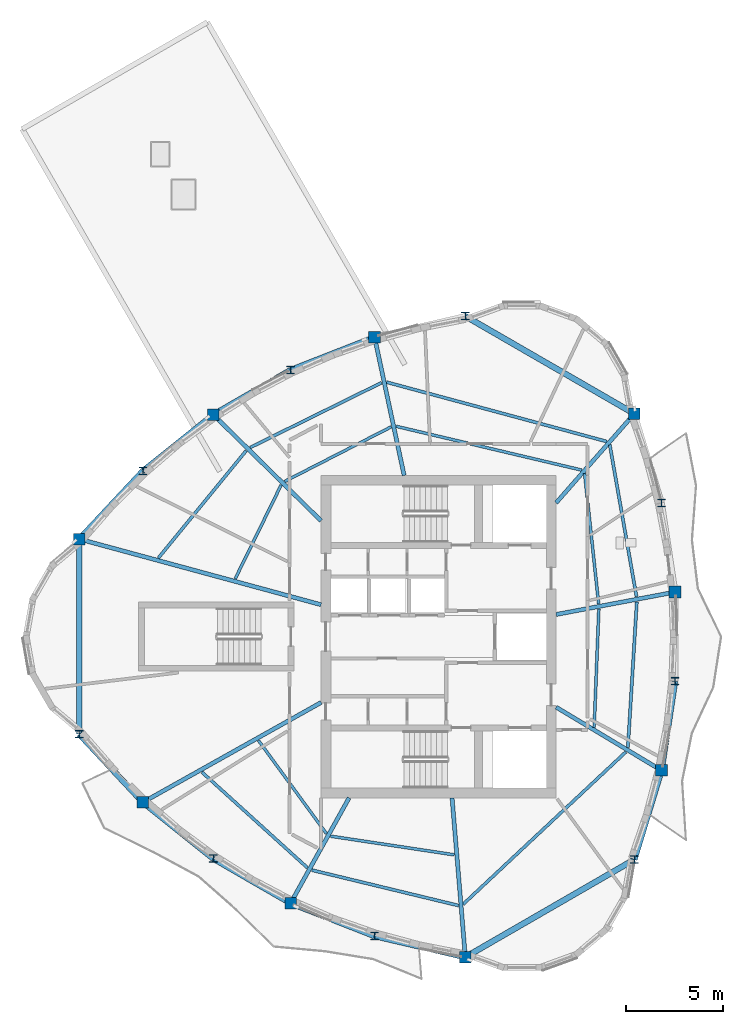
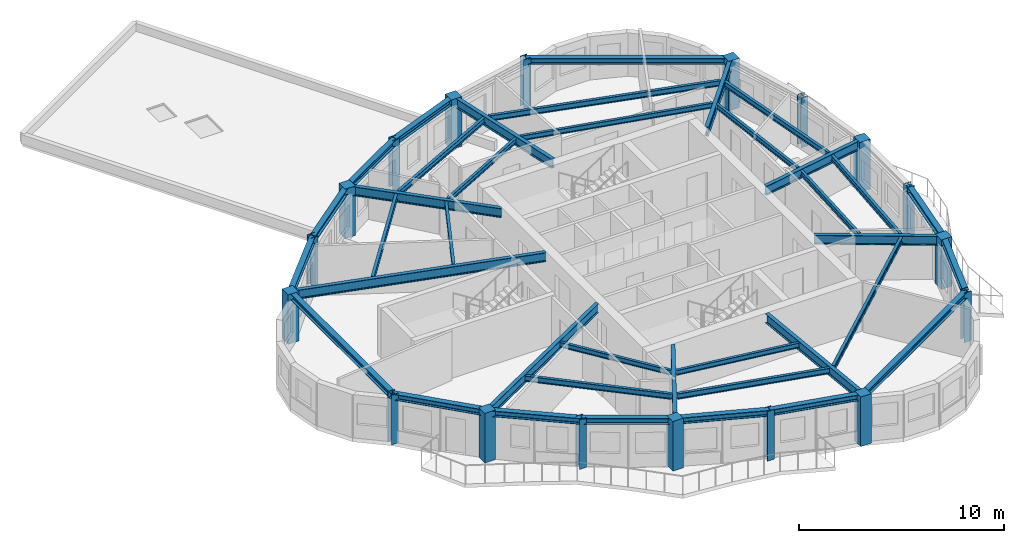
# One storey, part 1 of 11: 38 beams, 18 columns.
"""IFC4 building model written with IfcOpenShell, lengths in metres."""

from ifc_helpers import new_model, si_unit, direction, frame, origin, origin_2d, place, context, subcontext, project, spatial, rectangle, i_section, extrude, source, transform, mapped, material, material_profile, profile_set, type_object, element, save


model = new_model("IFC4")

# Units and contexts
model_context = context("Model", 3, precision=1e-05, world=origin(), true_north=direction((0.0, 1.0)))
body_context = subcontext(model_context, "Body", "Model", "MODEL_VIEW")
ifc_project = project(units=[si_unit("LENGTHUNIT", "METRE"), si_unit("AREAUNIT", "SQUARE_METRE"), si_unit("VOLUMEUNIT", "CUBIC_METRE"), si_unit("PLANEANGLEUNIT", "RADIAN"), si_unit("MASSUNIT", "GRAM", prefix="KILO")], contexts=[model_context])

# Site, building, storey
site_placement = place(None, origin())
site = spatial("IfcSite", under=ifc_project, at=site_placement, CompositionType="ELEMENT")
building_placement = place(site_placement, origin())
building = spatial("IfcBuilding", under=site, at=building_placement, Name="Qafzar Sky-Pleat Residences", CompositionType="ELEMENT")
storey_placement = place(building_placement, frame((0.0, 0.0, 214.800048828125)))
storey = spatial("IfcBuildingStorey", under=building, at=storey_placement, Name="L64", CompositionType="ELEMENT", Elevation=214.800048828125)

# Columns
ifc_material_1 = material(Name="Concrete C50/60", Category="concrete")
ifc_material_profile_1 = material_profile(ifc_material_1, rectangle(XDim=0.60009765625, YDim=0.60009765625, at=origin_2d()), Name="RC 600x600")
ifc_profile_set_1 = profile_set([ifc_material_profile_1], Name="Concrete C50/60")
column_type_1 = type_object("IfcColumnType", Name="COL-RC-600", PredefinedType="COLUMN", material=ifc_profile_set_1)
shared_shape_1 = source(origin(), body_context, "Body", "SweptSolid", [
    extrude(rectangle(XDim=0.60009765625, YDim=0.60009765625, at=origin_2d()), origin(), (0.0, 0.0, 1.0), 2.9599609375),
])
for number, where, z_axis, x_axis, name in (
    (1, (11.85009765625, 31.02294921875, 0.0), (0.0, 0.0, 1.0), (1.0, 0.0, 0.0), "L64 Perimeter Mega Column 1"),
    (2, (15.127197265625, 17.4736328125, 0.0), (0.0, 0.0, 1.0), (1.0, 0.0, 0.0), "L64 Perimeter Mega Column 3"),
    (3, (22.728515625, 12.279541015625, 0.0), (0.0, 0.0, 1.0), (1.0, 0.0, 0.0), "L64 Perimeter Mega Column 5"),
    (4, (31.72509765625, 9.502197265625, 0.0), (0.0, 0.0, 1.0), (1.0, 0.0, 0.0), "L64 Perimeter Mega Column 7"),
    (5, (41.8203125, 19.114990234375, 0.0), (0.0, 0.0, 1.0), (1.0, 0.0, 0.0), "L64 Perimeter Mega Column 9"),
    (6, (42.51806640625, 28.294921875, 0.0), (0.0, 0.0, 1.0), (1.0, 0.0, 0.0), "L64 Perimeter Mega Column 11"),
    (7, (40.425048828125, 37.474853515625, 0.0), (0.0, 0.0, 1.0), (1.0, 0.0, 0.0), "L64 Perimeter Mega Column 13"),
    (8, (27.05224609375, 41.4111328125, 0.0), (0.0, 0.0, 1.0), (1.0, 0.0, 0.0), "L64 Perimeter Mega Column 15"),
    (9, (18.75341796875, 37.425537109375, 0.0), (0.0, 0.0, 1.0), (1.0, 0.0, 0.0), "L64 Perimeter Mega Column 17"),
):
    element("IfcColumn", number, at=place(storey_placement, frame(where, z_axis=z_axis, x_axis=x_axis)), inside=storey, type_object=column_type_1, Name=name, PredefinedType="COLUMN", context=body_context, shape_type="MappedRepresentation", body=[
        mapped(shared_shape_1, transform((0.0, 0.0, 0.0), x_axis=(1.0, 0.0, 0.0), y_axis=(0.0, 1.0, 0.0), z_axis=(0.0, 0.0, 1.0), scale=1.0)),
    ])
ifc_material_2 = material(Name="Steel S355", Category="steel")
ifc_material_profile_2 = material_profile(ifc_material_2, i_section(OverallWidth=0.39794921875, OverallDepth=0.386962890625, WebThickness=0.01904296875, FlangeThickness=0.030029296875, FilletRadius=0.014892578125, at=origin_2d()), Name="HD 400x262")
ifc_profile_set_2 = profile_set([ifc_material_profile_2], Name="Steel S355")
column_type_2 = type_object("IfcColumnType", Name="COL-STL-HD262", PredefinedType="PILASTER", material=ifc_profile_set_2)
shared_shape_2 = source(origin(), body_context, "Body", "SweptSolid", [
    extrude(i_section(OverallWidth=0.39794921875, OverallDepth=0.386962890625, WebThickness=0.01904296875, FlangeThickness=0.030029296875, FilletRadius=0.014892578125, at=origin_2d()), origin(), (0.0, 0.0, 1.0), 2.9599609375),
])
for number, where, z_axis, x_axis, name in (
    (10, (11.85009765625, 20.97705078125, 0.0), (0.0, 0.0, 1.0), (1.0, 0.0, 0.0), "L64 Perimeter Mega Column 2"),
    (11, (18.75341796875, 14.574462890625, 0.0), (0.0, 0.0, 1.0), (1.0, 0.0, 0.0), "L64 Perimeter Mega Column 4"),
    (12, (27.05224609375, 10.5888671875, 0.0), (0.0, 0.0, 1.0), (1.0, 0.0, 0.0), "L64 Perimeter Mega Column 6"),
    (13, (40.425048828125, 14.525146484375, 0.0), (0.0, 0.0, 1.0), (1.0, 0.0, 0.0), "L64 Perimeter Mega Column 8"),
    (14, (42.51806640625, 23.705078125, 0.0), (0.0, 0.0, 1.0), (1.0, 0.0, 0.0), "L64 Perimeter Mega Column 10"),
    (15, (41.8203125, 32.885009765625, 0.0), (0.0, 0.0, 1.0), (1.0, 0.0, 0.0), "L64 Perimeter Mega Column 12"),
    (16, (31.72509765625, 42.497802734375, 0.0), (0.0, 0.0, 1.0), (1.0, 0.0, 0.0), "L64 Perimeter Mega Column 14"),
    (17, (22.728515625, 39.720458984375, 0.0), (0.0, 0.0, 1.0), (1.0, 0.0, 0.0), "L64 Perimeter Mega Column 16"),
    (18, (15.127197265625, 34.5263671875, 0.0), (0.0, 0.0, 1.0), (1.0, 0.0, 0.0), "L64 Perimeter Mega Column 18"),
):
    element("IfcColumn", number, at=place(storey_placement, frame(where, z_axis=z_axis, x_axis=x_axis)), inside=storey, type_object=column_type_2, Name=name, PredefinedType="PILASTER", context=body_context, shape_type="MappedRepresentation", body=[
        mapped(shared_shape_2, transform((0.0, 0.0, 0.0), x_axis=(1.0, 0.0, 0.0), y_axis=(0.0, 1.0, 0.0), z_axis=(0.0, 0.0, 1.0), scale=1.0)),
    ])

# Beams
ifc_material_profile_3 = material_profile(ifc_material_2, i_section(OverallWidth=0.300048828125, OverallDepth=0.360107421875, WebThickness=0.012451171875, FlangeThickness=0.0224609375, FilletRadius=0.027099609375, at=origin_2d()), Name="HEB 360")
ifc_profile_set_3 = profile_set([ifc_material_profile_3], Name="Steel S355")
beam_type_1 = type_object("IfcBeamType", Name="BM-SPAN-HEB360", PredefinedType="SPANDREL", material=ifc_profile_set_3)
shared_shape_3 = source(origin(), body_context, "Body", "SweptSolid", [
    extrude(i_section(OverallWidth=0.300048828125, OverallDepth=0.360107421875, WebThickness=0.012451171875, FlangeThickness=0.0224609375, FilletRadius=0.027099609375, at=origin_2d()), origin(), (0.0, 0.0, 1.0), 10.0458984375),
])
for number, where, z_axis, x_axis, name in (
    (19, (11.85009765625, 31.02294921875, 2.77783203125), (0.0, -1.0, 0.0), (1.0, 0.0, 0.0), "L64 Perimeter Spandrel Beam 1"),
    (20, (31.72509765625, 9.502197265625, 2.77783203125), (0.866024107753, 0.500002244785, 0.0), (-0.500002244785, 0.866024107753, 0.0), "L64 Perimeter Spandrel Beam 7"),
    (21, (40.425048828125, 37.474853515625, 2.77783203125), (-0.866024107753, 0.500002244785, 0.0), (-0.500002244785, -0.866024107753, 0.0), "L64 Perimeter Spandrel Beam 13"),
):
    element("IfcBeam", number, at=place(storey_placement, frame(where, z_axis=z_axis, x_axis=x_axis)), inside=storey, type_object=beam_type_1, Name=name, PredefinedType="SPANDREL", context=body_context, shape_type="MappedRepresentation", body=[
        mapped(shared_shape_3, transform((0.0, 0.0, 0.0), x_axis=(1.0, 0.0, 0.0), y_axis=(0.0, 1.0, 0.0), z_axis=(0.0, 0.0, 1.0), scale=1.0)),
    ])
shared_shape_4 = source(origin(), body_context, "Body", "SweptSolid", [
    extrude(i_section(OverallWidth=0.300048828125, OverallDepth=0.360107421875, WebThickness=0.012451171875, FlangeThickness=0.0224609375, FilletRadius=0.027099609375, at=origin_2d()), origin(), (0.0, 0.0, 1.0), 4.797119140625),
])
for number, where, z_axis, x_axis, name in (
    (22, (11.85009765625, 20.97705078125, 2.77783203125), (0.683124734516, -0.730301716479, 0.0), (0.730301716479, 0.683124734516, 0.0), "L64 Perimeter Spandrel Beam 2"),
    (23, (40.425048828125, 14.525146484375, 2.77783203125), (0.290847707489, 0.95676936147, 0.0), (-0.95676936147, 0.290847707489, 0.0), "L64 Perimeter Spandrel Beam 8"),
    (24, (15.127197265625, 34.5263671875, 2.77783203125), (-0.683124734516, -0.730301716479, 0.0), (0.730301716479, -0.683124734516, 0.0), "L64 Perimeter Spandrel Beam 18"),
):
    element("IfcBeam", number, at=place(storey_placement, frame(where, z_axis=z_axis, x_axis=x_axis)), inside=storey, type_object=beam_type_1, Name=name, PredefinedType="SPANDREL", context=body_context, shape_type="MappedRepresentation", body=[
        mapped(shared_shape_4, transform((0.0, 0.0, 0.0), x_axis=(1.0, 0.0, 0.0), y_axis=(0.0, 1.0, 0.0), z_axis=(0.0, 0.0, 1.0), scale=1.0)),
    ])
shared_shape_5 = source(origin(), body_context, "Body", "SweptSolid", [
    extrude(i_section(OverallWidth=0.300048828125, OverallDepth=0.360107421875, WebThickness=0.012451171875, FlangeThickness=0.0224609375, FilletRadius=0.027099609375, at=origin_2d()), origin(), (0.0, 0.0, 1.0), 4.642578125),
])
for number, where, z_axis, x_axis, name in (
    (25, (15.127197265625, 17.4736328125, 2.77783203125), (0.78105859572, -0.624457740805, 0.0), (0.624457740805, 0.78105859572, 0.0), "L64 Perimeter Spandrel Beam 3"),
    (26, (22.728515625, 12.279541015625, 2.77783203125), (0.931331978825, -0.364171313008, 0.0), (0.364171313008, 0.931331978825, 0.0), "L64 Perimeter Spandrel Beam 5"),
    (27, (27.05224609375, 41.4111328125, 2.77783203125), (-0.931331978825, -0.364171313008, 0.0), (0.364171313008, -0.931331978825, 0.0), "L64 Perimeter Spandrel Beam 15"),
    (28, (18.75341796875, 37.425537109375, 2.77783203125), (-0.78105859572, -0.624457740805, 0.0), (0.624457740805, -0.78105859572, 0.0), "L64 Perimeter Spandrel Beam 17"),
):
    element("IfcBeam", number, at=place(storey_placement, frame(where, z_axis=z_axis, x_axis=x_axis)), inside=storey, type_object=beam_type_1, Name=name, PredefinedType="SPANDREL", context=body_context, shape_type="MappedRepresentation", body=[
        mapped(shared_shape_5, transform((0.0, 0.0, 0.0), x_axis=(1.0, 0.0, 0.0), y_axis=(0.0, 1.0, 0.0), z_axis=(0.0, 0.0, 1.0), scale=1.0)),
    ])
shared_shape_6 = source(origin(), body_context, "Body", "SweptSolid", [
    extrude(i_section(OverallWidth=0.300048828125, OverallDepth=0.360107421875, WebThickness=0.012451171875, FlangeThickness=0.0224609375, FilletRadius=0.027099609375, at=origin_2d()), origin(), (0.0, 0.0, 1.0), 4.590087890625),
])
for number, where, z_axis, x_axis, name in (
    (29, (18.75341796875, 14.574462890625, 2.77783203125), (0.866035009806, -0.499983361514, 0.0), (0.499983361514, 0.866035009806, 0.0), "L64 Perimeter Spandrel Beam 4"),
    (30, (22.728515625, 39.720458984375, 2.77783203125), (-0.866035009806, -0.499983361514, 0.0), (0.499983361514, -0.866035009806, 0.0), "L64 Perimeter Spandrel Beam 16"),
):
    element("IfcBeam", number, at=place(storey_placement, frame(where, z_axis=z_axis, x_axis=x_axis)), inside=storey, type_object=beam_type_1, Name=name, PredefinedType="SPANDREL", context=body_context, shape_type="MappedRepresentation", body=[
        mapped(shared_shape_6, transform((0.0, 0.0, 0.0), x_axis=(1.0, 0.0, 0.0), y_axis=(0.0, 1.0, 0.0), z_axis=(0.0, 0.0, 1.0), scale=1.0)),
    ])
shared_shape_7 = source(origin(), body_context, "Body", "SweptSolid", [
    extrude(i_section(OverallWidth=0.300048828125, OverallDepth=0.360107421875, WebThickness=0.012451171875, FlangeThickness=0.0224609375, FilletRadius=0.027099609375, at=origin_2d()), origin(), (0.0, 0.0, 1.0), 4.797607421875),
])
beam_1_placement = place(storey_placement, frame((27.05224609375, 10.5888671875, 2.77783203125), z_axis=(0.974009854719, -0.226505635494, 0.0), x_axis=(0.226505635494, 0.974009854719, 0.0)))
element("IfcBeam", 31, at=beam_1_placement, inside=storey, type_object=beam_type_1, Name="L64 Perimeter Spandrel Beam 6", PredefinedType="SPANDREL", context=body_context, shape_type="MappedRepresentation", body=[
    mapped(shared_shape_7, transform((0.0, 0.0, 0.0), x_axis=(1.0, 0.0, 0.0), y_axis=(0.0, 1.0, 0.0), z_axis=(0.0, 0.0, 1.0), scale=1.0)),
])
shared_shape_8 = source(origin(), body_context, "Body", "SweptSolid", [
    extrude(i_section(OverallWidth=0.300048828125, OverallDepth=0.360107421875, WebThickness=0.012451171875, FlangeThickness=0.0224609375, FilletRadius=0.027099609375, at=origin_2d()), origin(), (0.0, 0.0, 1.0), 4.642822265625),
])
beam_2_placement = place(storey_placement, frame((41.8203125, 19.114990234375, 2.77783203125), z_axis=(0.150286694564, 0.988642457837, 0.0), x_axis=(-0.988642457837, 0.150286694564, 0.0)))
element("IfcBeam", 32, at=beam_2_placement, inside=storey, type_object=beam_type_1, Name="L64 Perimeter Spandrel Beam 9", PredefinedType="SPANDREL", context=body_context, shape_type="MappedRepresentation", body=[
    mapped(shared_shape_8, transform((0.0, 0.0, 0.0), x_axis=(1.0, 0.0, 0.0), y_axis=(0.0, 1.0, 0.0), z_axis=(0.0, 0.0, 1.0), scale=1.0)),
])
ifc_material_profile_4 = material_profile(ifc_material_2, i_section(OverallWidth=0.2099609375, OverallDepth=0.550048828125, WebThickness=0.010986328125, FlangeThickness=0.01708984375, FilletRadius=0.02392578125, at=origin_2d()), Name="IPE 550")
ifc_profile_set_4 = profile_set([ifc_material_profile_4], Name="Steel S355")
beam_type_2 = type_object("IfcBeamType", Name="BM-SEC-IPE550", PredefinedType="BEAM", material=ifc_profile_set_4)
shared_shape_9 = source(origin(), body_context, "Body", "SweptSolid", [
    extrude(i_section(OverallWidth=0.2099609375, OverallDepth=0.550048828125, WebThickness=0.010986328125, FlangeThickness=0.01708984375, FilletRadius=0.02392578125, at=origin_2d()), origin(), (0.0, 0.0, 1.0), 12.900634765625),
])
beam_3_placement = place(storey_placement, frame((11.85009765625, 31.02294921875, 2.682861328125), z_axis=(0.965059742401, -0.262029947902, 0.0), x_axis=(0.262029947902, 0.965059742401, 0.0)))
element("IfcBeam", 33, at=beam_3_placement, inside=storey, type_object=beam_type_2, Name="L64 Radial Floor Girder 1", PredefinedType="BEAM", context=body_context, shape_type="MappedRepresentation", body=[
    mapped(shared_shape_9, transform((0.0, 0.0, 0.0), x_axis=(1.0, 0.0, 0.0), y_axis=(0.0, 1.0, 0.0), z_axis=(0.0, 0.0, 1.0), scale=1.0)),
])
shared_shape_10 = source(origin(), body_context, "Body", "SweptSolid", [
    extrude(i_section(OverallWidth=0.2099609375, OverallDepth=0.550048828125, WebThickness=0.010986328125, FlangeThickness=0.01708984375, FilletRadius=0.02392578125, at=origin_2d()), origin(), (0.0, 0.0, 1.0), 10.513671875),
])
beam_4_placement = place(storey_placement, frame((15.127197265625, 17.4736328125, 2.682861328125), z_axis=(0.872469583565, 0.488668421073, 0.0), x_axis=(-0.488668421073, 0.872469583565, 0.0)))
element("IfcBeam", 34, at=beam_4_placement, inside=storey, type_object=beam_type_2, Name="L64 Radial Floor Girder 3", PredefinedType="BEAM", context=body_context, shape_type="MappedRepresentation", body=[
    mapped(shared_shape_10, transform((0.0, 0.0, 0.0), x_axis=(1.0, 0.0, 0.0), y_axis=(0.0, 1.0, 0.0), z_axis=(0.0, 0.0, 1.0), scale=1.0)),
])
shared_shape_11 = source(origin(), body_context, "Body", "SweptSolid", [
    extrude(i_section(OverallWidth=0.2099609375, OverallDepth=0.550048828125, WebThickness=0.010986328125, FlangeThickness=0.01708984375, FilletRadius=0.02392578125, at=origin_2d()), origin(), (0.0, 0.0, 1.0), 6.200439453125),
])
beam_5_placement = place(storey_placement, frame((22.728515625, 12.279541015625, 2.682861328125), z_axis=(0.485599470604, 0.874181419472, 0.0), x_axis=(-0.874181419472, 0.485599470604, 0.0)))
element("IfcBeam", 35, at=beam_5_placement, inside=storey, type_object=beam_type_2, Name="L64 Radial Floor Girder 5", PredefinedType="BEAM", context=body_context, shape_type="MappedRepresentation", body=[
    mapped(shared_shape_11, transform((0.0, 0.0, 0.0), x_axis=(1.0, 0.0, 0.0), y_axis=(0.0, 1.0, 0.0), z_axis=(0.0, 0.0, 1.0), scale=1.0)),
])
shared_shape_12 = source(origin(), body_context, "Body", "SweptSolid", [
    extrude(i_section(OverallWidth=0.2099609375, OverallDepth=0.550048828125, WebThickness=0.010986328125, FlangeThickness=0.01708984375, FilletRadius=0.02392578125, at=origin_2d()), origin(), (0.0, 0.0, 1.0), 8.22607421875),
])
beam_6_placement = place(storey_placement, frame((31.72509765625, 9.502197265625, 2.682861328125), z_axis=(-0.083070041322, 0.996543711151, 0.0), x_axis=(-0.996543711151, -0.083070041322, 0.0)))
element("IfcBeam", 36, at=beam_6_placement, inside=storey, type_object=beam_type_2, Name="L64 Radial Floor Girder 7", PredefinedType="BEAM", context=body_context, shape_type="MappedRepresentation", body=[
    mapped(shared_shape_12, transform((0.0, 0.0, 0.0), x_axis=(1.0, 0.0, 0.0), y_axis=(0.0, 1.0, 0.0), z_axis=(0.0, 0.0, 1.0), scale=1.0)),
])
shared_shape_13 = source(origin(), body_context, "Body", "SweptSolid", [
    extrude(i_section(OverallWidth=0.2099609375, OverallDepth=0.550048828125, WebThickness=0.010986328125, FlangeThickness=0.01708984375, FilletRadius=0.02392578125, at=origin_2d()), origin(), (0.0, 0.0, 1.0), 6.322021484375),
])
beam_7_placement = place(storey_placement, frame((41.8203125, 19.114990234375, 2.682861328125), z_axis=(-0.857394093566, 0.514660439823, 0.0), x_axis=(-0.514660439823, -0.857394093566, 0.0)))
element("IfcBeam", 37, at=beam_7_placement, inside=storey, type_object=beam_type_2, Name="L64 Radial Floor Girder 9", PredefinedType="BEAM", context=body_context, shape_type="MappedRepresentation", body=[
    mapped(shared_shape_13, transform((0.0, 0.0, 0.0), x_axis=(1.0, 0.0, 0.0), y_axis=(0.0, 1.0, 0.0), z_axis=(0.0, 0.0, 1.0), scale=1.0)),
])
shared_shape_14 = source(origin(), body_context, "Body", "SweptSolid", [
    extrude(i_section(OverallWidth=0.2099609375, OverallDepth=0.550048828125, WebThickness=0.010986328125, FlangeThickness=0.01708984375, FilletRadius=0.02392578125, at=origin_2d()), origin(), (0.0, 0.0, 1.0), 6.22607421875),
])
beam_8_placement = place(storey_placement, frame((42.51806640625, 28.294921875, 2.682861328125), z_axis=(-0.982678095354, -0.185320697472, 0.0), x_axis=(0.185320697472, -0.982678095354, 0.0)))
element("IfcBeam", 38, at=beam_8_placement, inside=storey, type_object=beam_type_2, Name="L64 Radial Floor Girder 11", PredefinedType="BEAM", context=body_context, shape_type="MappedRepresentation", body=[
    mapped(shared_shape_14, transform((0.0, 0.0, 0.0), x_axis=(1.0, 0.0, 0.0), y_axis=(0.0, 1.0, 0.0), z_axis=(0.0, 0.0, 1.0), scale=1.0)),
])
shared_shape_15 = source(origin(), body_context, "Body", "SweptSolid", [
    extrude(i_section(OverallWidth=0.2099609375, OverallDepth=0.550048828125, WebThickness=0.010986328125, FlangeThickness=0.01708984375, FilletRadius=0.02392578125, at=origin_2d()), origin(), (0.0, 0.0, 1.0), 6.1005859375),
])
beam_9_placement = place(storey_placement, frame((40.425048828125, 37.474853515625, 2.682861328125), z_axis=(-0.65979841743, -0.751442644755, 0.0), x_axis=(0.751442644755, -0.65979841743, 0.0)))
element("IfcBeam", 39, at=beam_9_placement, inside=storey, type_object=beam_type_2, Name="L64 Radial Floor Girder 13", PredefinedType="BEAM", context=body_context, shape_type="MappedRepresentation", body=[
    mapped(shared_shape_15, transform((0.0, 0.0, 0.0), x_axis=(1.0, 0.0, 0.0), y_axis=(0.0, 1.0, 0.0), z_axis=(0.0, 0.0, 1.0), scale=1.0)),
])
shared_shape_16 = source(origin(), body_context, "Body", "SweptSolid", [
    extrude(i_section(OverallWidth=0.2099609375, OverallDepth=0.550048828125, WebThickness=0.010986328125, FlangeThickness=0.01708984375, FilletRadius=0.02392578125, at=origin_2d()), origin(), (0.0, 0.0, 1.0), 7.27197265625),
])
beam_10_placement = place(storey_placement, frame((27.05224609375, 41.4111328125, 2.682861328125), z_axis=(0.209256244096, -0.977860840972, 0.0), x_axis=(0.977860840972, 0.209256244096, 0.0)))
element("IfcBeam", 40, at=beam_10_placement, inside=storey, type_object=beam_type_2, Name="L64 Radial Floor Girder 15", PredefinedType="BEAM", context=body_context, shape_type="MappedRepresentation", body=[
    mapped(shared_shape_16, transform((0.0, 0.0, 0.0), x_axis=(1.0, 0.0, 0.0), y_axis=(0.0, 1.0, 0.0), z_axis=(0.0, 0.0, 1.0), scale=1.0)),
])
shared_shape_17 = source(origin(), body_context, "Body", "SweptSolid", [
    extrude(i_section(OverallWidth=0.2099609375, OverallDepth=0.550048828125, WebThickness=0.010986328125, FlangeThickness=0.01708984375, FilletRadius=0.02392578125, at=origin_2d()), origin(), (0.0, 0.0, 1.0), 7.78662109375),
])
beam_11_placement = place(storey_placement, frame((18.75341796875, 37.425537109375, 2.682861328125), z_axis=(0.712339128593, -0.70183542649, 0.0), x_axis=(0.70183542649, 0.712339128593, 0.0)))
element("IfcBeam", 41, at=beam_11_placement, inside=storey, type_object=beam_type_2, Name="L64 Radial Floor Girder 17", PredefinedType="BEAM", context=body_context, shape_type="MappedRepresentation", body=[
    mapped(shared_shape_17, transform((0.0, 0.0, 0.0), x_axis=(1.0, 0.0, 0.0), y_axis=(0.0, 1.0, 0.0), z_axis=(0.0, 0.0, 1.0), scale=1.0)),
])
ifc_material_profile_5 = material_profile(ifc_material_2, i_section(OverallWidth=0.159912109375, OverallDepth=0.330078125, WebThickness=0.007568359375, FlangeThickness=0.011474609375, FilletRadius=0.01806640625, at=origin_2d()), Name="IPE 330")
ifc_profile_set_5 = profile_set([ifc_material_profile_5], Name="Steel S355")
beam_type_3 = type_object("IfcBeamType", Name="BM-JST-IPE330", PredefinedType="JOIST", material=ifc_profile_set_5)
shared_shape_18 = source(origin(), body_context, "Body", "SweptSolid", [
    extrude(i_section(OverallWidth=0.159912109375, OverallDepth=0.330078125, WebThickness=0.007568359375, FlangeThickness=0.011474609375, FilletRadius=0.01806640625, at=origin_2d()), origin(), (0.0, 0.0, 1.0), 7.32861328125),
])
beam_12_placement = place(storey_placement, frame((18.16259765625, 19.027099609375, 2.79296875), z_axis=(0.740855880946, -0.671664025884, 0.0), x_axis=(0.671664025884, 0.740855880946, 0.0)))
element("IfcBeam", 42, at=beam_12_placement, inside=storey, type_object=beam_type_3, Name="L64 Outer Secondary Floor Joist 2", PredefinedType="JOIST", context=body_context, shape_type="MappedRepresentation", body=[
    mapped(shared_shape_18, transform((0.0, 0.0, 0.0), x_axis=(1.0, 0.0, 0.0), y_axis=(0.0, 1.0, 0.0), z_axis=(0.0, 0.0, 1.0), scale=1.0)),
])
shared_shape_19 = source(origin(), body_context, "Body", "SweptSolid", [
    extrude(i_section(OverallWidth=0.159912109375, OverallDepth=0.330078125, WebThickness=0.007568359375, FlangeThickness=0.011474609375, FilletRadius=0.01806640625, at=origin_2d()), origin(), (0.0, 0.0, 1.0), 7.76953125),
])
beam_13_placement = place(storey_placement, frame((23.8232421875, 13.982421875, 2.79296875), z_axis=(0.972014696712, -0.2349200489, 0.0), x_axis=(0.2349200489, 0.972014696712, 0.0)))
element("IfcBeam", 43, at=beam_13_placement, inside=storey, type_object=beam_type_3, Name="L64 Outer Secondary Floor Joist 3", PredefinedType="JOIST", context=body_context, shape_type="MappedRepresentation", body=[
    mapped(shared_shape_19, transform((0.0, 0.0, 0.0), x_axis=(1.0, 0.0, 0.0), y_axis=(0.0, 1.0, 0.0), z_axis=(0.0, 0.0, 1.0), scale=1.0)),
])
shared_shape_20 = source(origin(), body_context, "Body", "SweptSolid", [
    extrude(i_section(OverallWidth=0.159912109375, OverallDepth=0.330078125, WebThickness=0.007568359375, FlangeThickness=0.011474609375, FilletRadius=0.01806640625, at=origin_2d()), origin(), (0.0, 0.0, 1.0), 11.4814453125),
])
beam_14_placement = place(storey_placement, frame((31.60498046875, 12.2177734375, 2.79296875), z_axis=(0.730068797802, 0.683373653631, 0.0), x_axis=(-0.683373653631, 0.730068797802, 0.0)))
element("IfcBeam", 44, at=beam_14_placement, inside=storey, type_object=beam_type_3, Name="L64 Outer Secondary Floor Joist 4", PredefinedType="JOIST", context=body_context, shape_type="MappedRepresentation", body=[
    mapped(shared_shape_20, transform((0.0, 0.0, 0.0), x_axis=(1.0, 0.0, 0.0), y_axis=(0.0, 1.0, 0.0), z_axis=(0.0, 0.0, 1.0), scale=1.0)),
])
shared_shape_21 = source(origin(), body_context, "Body", "SweptSolid", [
    extrude(i_section(OverallWidth=0.159912109375, OverallDepth=0.330078125, WebThickness=0.007568359375, FlangeThickness=0.011474609375, FilletRadius=0.01806640625, at=origin_2d()), origin(), (0.0, 0.0, 1.0), 7.513916015625),
])
beam_15_placement = place(storey_placement, frame((40.093994140625, 20.291015625, 2.79296875), z_axis=(0.060954156998, 0.998140566626, 0.0), x_axis=(-0.998140566626, 0.060954156998, 0.0)))
element("IfcBeam", 45, at=beam_15_placement, inside=storey, type_object=beam_type_3, Name="L64 Outer Secondary Floor Joist 5", PredefinedType="JOIST", context=body_context, shape_type="MappedRepresentation", body=[
    mapped(shared_shape_21, transform((0.0, 0.0, 0.0), x_axis=(1.0, 0.0, 0.0), y_axis=(0.0, 1.0, 0.0), z_axis=(0.0, 0.0, 1.0), scale=1.0)),
])
shared_shape_22 = source(origin(), body_context, "Body", "SweptSolid", [
    extrude(i_section(OverallWidth=0.159912109375, OverallDepth=0.330078125, WebThickness=0.007568359375, FlangeThickness=0.011474609375, FilletRadius=0.01806640625, at=origin_2d()), origin(), (0.0, 0.0, 1.0), 7.936767578125),
])
beam_16_placement = place(storey_placement, frame((40.536865234375, 28.05859375, 2.79296875), z_axis=(-0.173430847903, 0.984846049388, 0.0), x_axis=(-0.984846049388, -0.173430847903, 0.0)))
element("IfcBeam", 46, at=beam_16_placement, inside=storey, type_object=beam_type_3, Name="L64 Outer Secondary Floor Joist 6", PredefinedType="JOIST", context=body_context, shape_type="MappedRepresentation", body=[
    mapped(shared_shape_22, transform((0.0, 0.0, 0.0), x_axis=(1.0, 0.0, 0.0), y_axis=(0.0, 1.0, 0.0), z_axis=(0.0, 0.0, 1.0), scale=1.0)),
])
shared_shape_23 = source(origin(), body_context, "Body", "SweptSolid", [
    extrude(i_section(OverallWidth=0.159912109375, OverallDepth=0.330078125, WebThickness=0.007568359375, FlangeThickness=0.011474609375, FilletRadius=0.01806640625, at=origin_2d()), origin(), (0.0, 0.0, 1.0), 11.741943359375),
])
beam_17_placement = place(storey_placement, frame((39.006591796875, 36.04296875, 2.79296875), z_axis=(-0.96550083471, 0.260399958091, 0.0), x_axis=(-0.260399958091, -0.96550083471, 0.0)))
element("IfcBeam", 47, at=beam_17_placement, inside=storey, type_object=beam_type_3, Name="L64 Outer Secondary Floor Joist 7", PredefinedType="JOIST", context=body_context, shape_type="MappedRepresentation", body=[
    mapped(shared_shape_23, transform((0.0, 0.0, 0.0), x_axis=(1.0, 0.0, 0.0), y_axis=(0.0, 1.0, 0.0), z_axis=(0.0, 0.0, 1.0), scale=1.0)),
])
shared_shape_24 = source(origin(), body_context, "Body", "SweptSolid", [
    extrude(i_section(OverallWidth=0.159912109375, OverallDepth=0.330078125, WebThickness=0.007568359375, FlangeThickness=0.011474609375, FilletRadius=0.01806640625, at=origin_2d()), origin(), (0.0, 0.0, 1.0), 7.547607421875),
])
beam_18_placement = place(storey_placement, frame((27.418212890625, 39.075927734375, 2.79296875), z_axis=(-0.896801606732, -0.442432908093, 0.0), x_axis=(0.442432908093, -0.896801606732, 0.0)))
element("IfcBeam", 48, at=beam_18_placement, inside=storey, type_object=beam_type_3, Name="L64 Outer Secondary Floor Joist 8", PredefinedType="JOIST", context=body_context, shape_type="MappedRepresentation", body=[
    mapped(shared_shape_24, transform((0.0, 0.0, 0.0), x_axis=(1.0, 0.0, 0.0), y_axis=(0.0, 1.0, 0.0), z_axis=(0.0, 0.0, 1.0), scale=1.0)),
])
shared_shape_25 = source(origin(), body_context, "Body", "SweptSolid", [
    extrude(i_section(OverallWidth=0.159912109375, OverallDepth=0.330078125, WebThickness=0.007568359375, FlangeThickness=0.011474609375, FilletRadius=0.01806640625, at=origin_2d()), origin(), (0.0, 0.0, 1.0), 7.141845703125),
])
beam_19_placement = place(storey_placement, frame((20.44287109375, 35.572265625, 2.79296875), z_axis=(-0.633377396406, -0.773843054968, 0.0), x_axis=(0.773843054968, -0.633377396406, 0.0)))
element("IfcBeam", 49, at=beam_19_placement, inside=storey, type_object=beam_type_3, Name="L64 Outer Secondary Floor Joist 9", PredefinedType="JOIST", context=body_context, shape_type="MappedRepresentation", body=[
    mapped(shared_shape_25, transform((0.0, 0.0, 0.0), x_axis=(1.0, 0.0, 0.0), y_axis=(0.0, 1.0, 0.0), z_axis=(0.0, 0.0, 1.0), scale=1.0)),
])
ifc_material_profile_6 = material_profile(ifc_material_2, i_section(OverallWidth=0.14990234375, OverallDepth=0.300048828125, WebThickness=0.007080078125, FlangeThickness=0.0107421875, FilletRadius=0.014892578125, at=origin_2d()), Name="IPE 300")
ifc_profile_set_6 = profile_set([ifc_material_profile_6], Name="Steel S355")
beam_type_4 = type_object("IfcBeamType", Name="BM-JST-IPE300", PredefinedType="JOIST", material=ifc_profile_set_6)
shared_shape_26 = source(origin(), body_context, "Body", "SweptSolid", [
    extrude(i_section(OverallWidth=0.14990234375, OverallDepth=0.300048828125, WebThickness=0.007080078125, FlangeThickness=0.0107421875, FilletRadius=0.014892578125, at=origin_2d()), origin(), (0.0, 0.0, 1.0), 5.935791015625),
])
beam_20_placement = place(storey_placement, frame((21.077392578125, 20.65283203125, 2.807861328125), z_axis=(0.589398706992, -0.807842289185, 0.0), x_axis=(0.807842289185, 0.589398706992, 0.0)))
element("IfcBeam", 50, at=beam_20_placement, inside=storey, type_object=beam_type_4, Name="L64 Inner Secondary Floor Joist 2", PredefinedType="JOIST", context=body_context, shape_type="MappedRepresentation", body=[
    mapped(shared_shape_26, transform((0.0, 0.0, 0.0), x_axis=(1.0, 0.0, 0.0), y_axis=(0.0, 1.0, 0.0), z_axis=(0.0, 0.0, 1.0), scale=1.0)),
])
shared_shape_27 = source(origin(), body_context, "Body", "SweptSolid", [
    extrude(i_section(OverallWidth=0.14990234375, OverallDepth=0.300048828125, WebThickness=0.007080078125, FlangeThickness=0.0107421875, FilletRadius=0.014892578125, at=origin_2d()), origin(), (0.0, 0.0, 1.0), 6.437255859375),
])
beam_21_placement = place(storey_placement, frame((24.7890625, 15.728515625, 2.807861328125), z_axis=(0.988823680029, -0.149089670382, 0.0), x_axis=(0.149089670382, 0.988823680029, 0.0)))
element("IfcBeam", 51, at=beam_21_placement, inside=storey, type_object=beam_type_4, Name="L64 Inner Secondary Floor Joist 3", PredefinedType="JOIST", context=body_context, shape_type="MappedRepresentation", body=[
    mapped(shared_shape_27, transform((0.0, 0.0, 0.0), x_axis=(1.0, 0.0, 0.0), y_axis=(0.0, 1.0, 0.0), z_axis=(0.0, 0.0, 1.0), scale=1.0)),
])
shared_shape_28 = source(origin(), body_context, "Body", "SweptSolid", [
    extrude(i_section(OverallWidth=0.14990234375, OverallDepth=0.300048828125, WebThickness=0.007080078125, FlangeThickness=0.0107421875, FilletRadius=0.014892578125, at=origin_2d()), origin(), (0.0, 0.0, 1.0), 6.093994140625),
])
beam_22_placement = place(storey_placement, frame((38.356689453125, 21.332275390625, 2.807861328125), z_axis=(0.039460861203, 0.999221116887, 0.0), x_axis=(-0.999221116887, 0.039460861203, 0.0)))
element("IfcBeam", 52, at=beam_22_placement, inside=storey, type_object=beam_type_4, Name="L64 Inner Secondary Floor Joist 5", PredefinedType="JOIST", context=body_context, shape_type="MappedRepresentation", body=[
    mapped(shared_shape_28, transform((0.0, 0.0, 0.0), x_axis=(1.0, 0.0, 0.0), y_axis=(0.0, 1.0, 0.0), z_axis=(0.0, 0.0, 1.0), scale=1.0)),
])
shared_shape_29 = source(origin(), body_context, "Body", "SweptSolid", [
    extrude(i_section(OverallWidth=0.14990234375, OverallDepth=0.300048828125, WebThickness=0.007080078125, FlangeThickness=0.0107421875, FilletRadius=0.014892578125, at=origin_2d()), origin(), (0.0, 0.0, 1.0), 6.755126953125),
])
beam_23_placement = place(storey_placement, frame((38.587890625, 27.690673828125, 2.807861328125), z_axis=(-0.10723369847, 0.994233842671, 0.0), x_axis=(-0.994233842671, -0.10723369847, 0.0)))
element("IfcBeam", 53, at=beam_23_placement, inside=storey, type_object=beam_type_4, Name="L64 Inner Secondary Floor Joist 6", PredefinedType="JOIST", context=body_context, shape_type="MappedRepresentation", body=[
    mapped(shared_shape_29, transform((0.0, 0.0, 0.0), x_axis=(1.0, 0.0, 0.0), y_axis=(0.0, 1.0, 0.0), z_axis=(0.0, 0.0, 1.0), scale=1.0)),
])
shared_shape_30 = source(origin(), body_context, "Body", "SweptSolid", [
    extrude(i_section(OverallWidth=0.14990234375, OverallDepth=0.300048828125, WebThickness=0.007080078125, FlangeThickness=0.0107421875, FilletRadius=0.014892578125, at=origin_2d()), origin(), (0.0, 0.0, 1.0), 9.82275390625),
])
beam_24_placement = place(storey_placement, frame((37.717529296875, 34.572021484375, 2.807861328125), z_axis=(-0.973241840634, 0.229783201386, 0.0), x_axis=(-0.229783201386, -0.973241840634, 0.0)))
element("IfcBeam", 54, at=beam_24_placement, inside=storey, type_object=beam_type_4, Name="L64 Inner Secondary Floor Joist 7", PredefinedType="JOIST", context=body_context, shape_type="MappedRepresentation", body=[
    mapped(shared_shape_30, transform((0.0, 0.0, 0.0), x_axis=(1.0, 0.0, 0.0), y_axis=(0.0, 1.0, 0.0), z_axis=(0.0, 0.0, 1.0), scale=1.0)),
])
shared_shape_31 = source(origin(), body_context, "Body", "SweptSolid", [
    extrude(i_section(OverallWidth=0.14990234375, OverallDepth=0.300048828125, WebThickness=0.007080078125, FlangeThickness=0.0107421875, FilletRadius=0.014892578125, at=origin_2d()), origin(), (0.0, 0.0, 1.0), 6.160400390625),
])
beam_25_placement = place(storey_placement, frame((27.906005859375, 36.798583984375, 2.807861328125), z_axis=(-0.889984920118, -0.455989958181, 0.0), x_axis=(0.455989958181, -0.889984920118, 0.0)))
element("IfcBeam", 55, at=beam_25_placement, inside=storey, type_object=beam_type_4, Name="L64 Inner Secondary Floor Joist 8", PredefinedType="JOIST", context=body_context, shape_type="MappedRepresentation", body=[
    mapped(shared_shape_31, transform((0.0, 0.0, 0.0), x_axis=(1.0, 0.0, 0.0), y_axis=(0.0, 1.0, 0.0), z_axis=(0.0, 0.0, 1.0), scale=1.0)),
])
shared_shape_32 = source(origin(), body_context, "Body", "SweptSolid", [
    extrude(i_section(OverallWidth=0.14990234375, OverallDepth=0.300048828125, WebThickness=0.007080078125, FlangeThickness=0.0107421875, FilletRadius=0.014892578125, at=origin_2d()), origin(), (0.0, 0.0, 1.0), 5.375244140625),
])
beam_26_placement = place(storey_placement, frame((22.243896484375, 33.806884765625, 2.807861328125), z_axis=(-0.440259895777, -0.897870382722, 0.0), x_axis=(0.897870382722, -0.440259895777, 0.0)))
element("IfcBeam", 56, at=beam_26_placement, inside=storey, type_object=beam_type_4, Name="L64 Inner Secondary Floor Joist 9", PredefinedType="JOIST", context=body_context, shape_type="MappedRepresentation", body=[
    mapped(shared_shape_32, transform((0.0, 0.0, 0.0), x_axis=(1.0, 0.0, 0.0), y_axis=(0.0, 1.0, 0.0), z_axis=(0.0, 0.0, 1.0), scale=1.0)),
])

save(model, "model.ifc")
